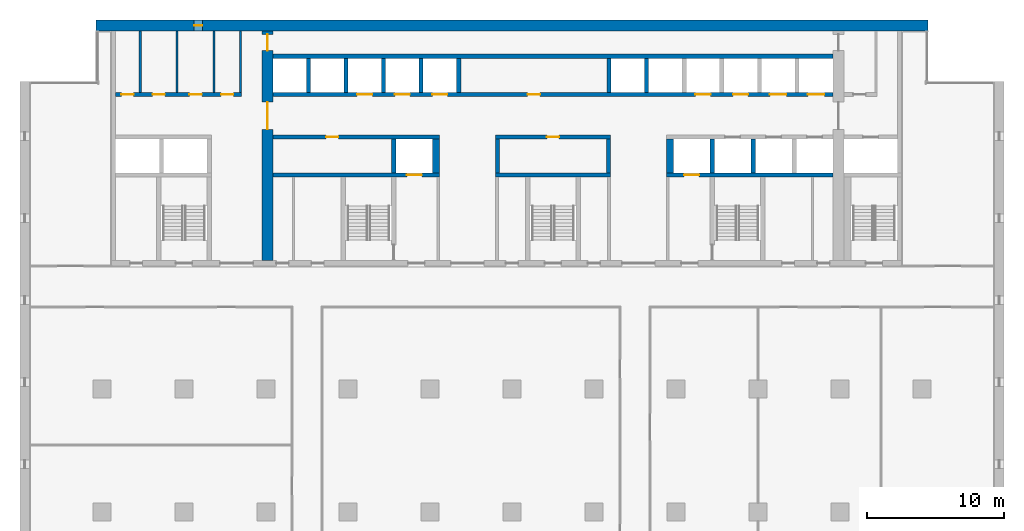
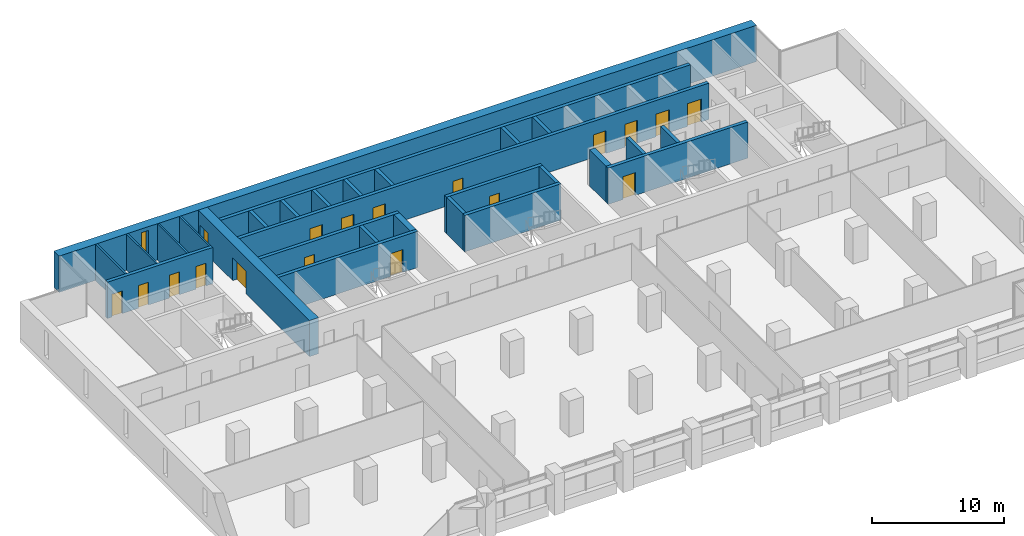
# One storey, part 10 of 15: 28 walls, 18 doors, 1 window, 19 openings.
"""IFC4 building model written with IfcOpenShell, lengths in metres."""

from ifc_helpers import new_model, si_unit, direction, frame, frame_2d, origin, place, context, subcontext, project, spatial, rectangle, extrude, material, layer, layer_set, type_object, element, fill, save


model = new_model("IFC4")

# Units and contexts
model_context = context("Model", 3, precision=1e-05, world=origin(), true_north=direction((0.0, 1.0)))
body_context = subcontext(model_context, "Body", "Model", "MODEL_VIEW")
ifc_project = project(units=[si_unit("LENGTHUNIT", "METRE"), si_unit("AREAUNIT", "SQUARE_METRE"), si_unit("VOLUMEUNIT", "CUBIC_METRE"), si_unit("PLANEANGLEUNIT", "RADIAN"), si_unit("MASSUNIT", "GRAM", prefix="KILO")], contexts=[model_context])

# Site, building, storey
site_placement = place(None, origin())
site = spatial("IfcSite", under=ifc_project, at=site_placement, CompositionType="ELEMENT")
building_placement = place(site_placement, origin())
building = spatial("IfcBuilding", under=site, at=building_placement, Name="Calvaro Tower", CompositionType="ELEMENT")
storey_placement = place(building_placement, frame((0.0, 0.0, 128.75)))
storey = spatial("IfcBuildingStorey", under=building, at=storey_placement, Name="L32", CompositionType="ELEMENT", Elevation=128.75)

# Walls
ifc_material_1 = material(Name="Blockwork partition", Category="masonry")
ifc_layer_1 = layer(ifc_material_1, 0.14990234375)
ifc_layer_set_1 = layer_set([ifc_layer_1], Name="Blockwork partition")
wall_type_1 = type_object("IfcWallType", Name="Core partition 150 EI 60", PredefinedType="PARTITIONING", material=ifc_layer_set_1)
for number, where, z_axis, x_axis, name in (
    (1, (8.800048828125, 40.699951171875, 0.0), (0.0, 0.0, 1.0), (0.0, 1.0, 0.0), "Core partition"),
    (2, (11.5, 40.699951171875, 0.0), (0.0, 0.0, 1.0), (0.0, 1.0, 0.0), "Core partition"),
    (3, (14.199951171875, 40.699951171875, 0.0), (0.0, 0.0, 1.0), (0.0, 1.0, 0.0), "Core partition"),
):
    element("IfcWall", number, at=place(storey_placement, frame(where, z_axis=z_axis, x_axis=x_axis)), inside=storey, type_object=wall_type_1, Name=name, PredefinedType="PARTITIONING", context=body_context, shape_type="SweptSolid", body=[
        extrude(rectangle(XDim=4.5, YDim=0.14990234375, at=frame_2d((2.25, 0.0))), origin(), (0.0, 0.0, 1.0), 3.35009765625),
    ])
ifc_material_2 = material(Name="Blockwork partition", Category="masonry")
ifc_layer_2 = layer(ifc_material_2, 0.14990234375)
ifc_layer_set_2 = layer_set([ifc_layer_2], Name="Blockwork partition")
wall_type_2 = type_object("IfcWallType", Name="Core partition 150 REI 120", PredefinedType="PARTITIONING", material=ifc_layer_set_2)
wall_1_placement = place(storey_placement, frame((16.125, 40.699951171875, 0.0), z_axis=(0.0, 0.0, 1.0), x_axis=(0.0, 1.0, 0.0)))
element("IfcWall", 4, at=wall_1_placement, inside=storey, type_object=wall_type_2, Name="Core partition", PredefinedType="PARTITIONING", context=body_context, shape_type="SweptSolid", body=[
    extrude(rectangle(XDim=4.5, YDim=0.14990234375, at=frame_2d((2.25, 0.0))), origin(), (0.0, 0.0, 1.0), 3.35009765625),
])

# Wall, openings, doors
ifc_material_3 = material(Name="Blockwork partition", Category="masonry")
ifc_layer_3 = layer(ifc_material_3, 0.300048828125)
ifc_layer_set_3 = layer_set([ifc_layer_3], Name="Blockwork partition")
wall_type_3 = type_object("IfcWallType", Name="Core partition 300 REI 120", PredefinedType="PARTITIONING", material=ifc_layer_set_3)
wall_2_placement = place(storey_placement, frame((7.0, 40.550048828125, 0.0), z_axis=(0.0, 0.0, 1.0), x_axis=(1.0, 0.0, 0.0)))
wall_2 = element("IfcWall", 5, at=wall_2_placement, inside=storey, type_object=wall_type_3, Name="Core partition", PredefinedType="PARTITIONING", context=body_context, shape_type="SweptSolid", body=[
    extrude(rectangle(XDim=9.199951171875, YDim=0.300048828125, at=frame_2d((4.60009765625, 0.0))), origin(), (0.0, 0.0, 1.0), 3.35009765625),
])
opening_1_placement = place(wall_2_placement, frame((0.41259765625, 0.0, 0.0)))
opening_1 = element("IfcOpeningElement", 6, at=opening_1_placement, cuts=wall_2, Name="Opening RD9C", PredefinedType="OPENING", context=body_context, shape_type="SweptSolid", body=[
    extrude(rectangle(XDim=0.89990234375, YDim=2.10009765625, at=frame_2d((0.449951171875, 1.050048828125))), frame((0.0, 0.159912109375, 0.0), z_axis=(0.0, -1.0, 0.0), x_axis=(1.0, 0.0, 0.0)), (0.0, 0.0, 1.0), 0.320068359375),
])
opening_2_placement = place(wall_2_placement, frame((2.699951171875, 0.0, 0.0)))
opening_2 = element("IfcOpeningElement", 7, at=opening_2_placement, cuts=wall_2, Name="Opening RD9", PredefinedType="OPENING", context=body_context, shape_type="SweptSolid", body=[
    extrude(rectangle(XDim=0.89990234375, YDim=2.10009765625, at=frame_2d((0.449951171875, 1.050048828125))), frame((0.0, 0.159912109375, 0.0), z_axis=(0.0, -1.0, 0.0), x_axis=(1.0, 0.0, 0.0)), (0.0, 0.0, 1.0), 0.320068359375),
])
opening_3_placement = place(wall_2_placement, frame((5.39990234375, 0.0, 0.0)))
opening_3 = element("IfcOpeningElement", 8, at=opening_3_placement, cuts=wall_2, Name="Opening RD9", PredefinedType="OPENING", context=body_context, shape_type="SweptSolid", body=[
    extrude(rectangle(XDim=0.89990234375, YDim=2.10009765625, at=frame_2d((0.449951171875, 1.050048828125))), frame((0.0, 0.159912109375, 0.0), z_axis=(0.0, -1.0, 0.0), x_axis=(1.0, 0.0, 0.0)), (0.0, 0.0, 1.0), 0.320068359375),
])
opening_4_placement = place(wall_2_placement, frame((7.71240234375, 0.0, 0.0)))
opening_4 = element("IfcOpeningElement", 9, at=opening_4_placement, cuts=wall_2, Name="Opening RD9", PredefinedType="OPENING", context=body_context, shape_type="SweptSolid", body=[
    extrude(rectangle(XDim=0.89990234375, YDim=2.10009765625, at=frame_2d((0.449951171875, 1.050048828125))), frame((0.0, 0.159912109375, 0.0), z_axis=(0.0, -1.0, 0.0), x_axis=(1.0, 0.0, 0.0)), (0.0, 0.0, 1.0), 0.320068359375),
])
ifc_material_4 = material(Name="Steel door set", Category="steel")
door_type_1 = type_object("IfcDoorType", Name="Room door 900", OperationType="SINGLE_SWING_LEFT", PredefinedType="DOOR", material=ifc_material_4)
door_1_placement = place(opening_2_placement, origin())
door_1 = element("IfcDoor", 10, at=door_1_placement, inside=storey, type_object=door_type_1, Name="Room door", OperationType="SINGLE_SWING_LEFT", OverallHeight=2.10009765625, OverallWidth=0.89990234375, PredefinedType="DOOR", context=body_context, shape_type="SweptSolid", body=[
    extrude(rectangle(XDim=0.89990234375, YDim=2.10009765625, at=frame_2d((0.449951171875, 1.050048828125))), frame((0.0, 0.02490234375, 0.0), z_axis=(0.0, -1.0, 0.0), x_axis=(1.0, 0.0, 0.0)), (0.0, 0.0, 1.0), 0.050048828125),
])
fill(opening_2, door_1)
door_2_placement = place(opening_3_placement, origin())
door_2 = element("IfcDoor", 11, at=door_2_placement, inside=storey, type_object=door_type_1, Name="Room door", OperationType="SINGLE_SWING_LEFT", OverallHeight=2.10009765625, OverallWidth=0.89990234375, PredefinedType="DOOR", context=body_context, shape_type="SweptSolid", body=[
    extrude(rectangle(XDim=0.89990234375, YDim=2.10009765625, at=frame_2d((0.449951171875, 1.050048828125))), frame((0.0, 0.02490234375, 0.0), z_axis=(0.0, -1.0, 0.0), x_axis=(1.0, 0.0, 0.0)), (0.0, 0.0, 1.0), 0.050048828125),
])
fill(opening_3, door_2)
door_3_placement = place(opening_4_placement, origin())
door_3 = element("IfcDoor", 12, at=door_3_placement, inside=storey, type_object=door_type_1, Name="Room door", OperationType="SINGLE_SWING_LEFT", OverallHeight=2.10009765625, OverallWidth=0.89990234375, PredefinedType="DOOR", context=body_context, shape_type="SweptSolid", body=[
    extrude(rectangle(XDim=0.89990234375, YDim=2.10009765625, at=frame_2d((0.449951171875, 1.050048828125))), frame((0.0, 0.02490234375, 0.0), z_axis=(0.0, -1.0, 0.0), x_axis=(1.0, 0.0, 0.0)), (0.0, 0.0, 1.0), 0.050048828125),
])
fill(opening_4, door_3)
ifc_material_5 = material(Name="Steel door set", Category="steel")
door_type_2 = type_object("IfcDoorType", Name="Room door 900 FD30", OperationType="SINGLE_SWING_LEFT", PredefinedType="DOOR", material=ifc_material_5)
door_4_placement = place(opening_1_placement, origin())
door_4 = element("IfcDoor", 13, at=door_4_placement, inside=storey, type_object=door_type_2, Name="Room door", OperationType="SINGLE_SWING_LEFT", OverallHeight=2.10009765625, OverallWidth=0.89990234375, PredefinedType="DOOR", context=body_context, shape_type="SweptSolid", body=[
    extrude(rectangle(XDim=0.89990234375, YDim=2.10009765625, at=frame_2d((0.449951171875, 1.050048828125))), frame((0.0, 0.02490234375, 0.0), z_axis=(0.0, -1.0, 0.0), x_axis=(1.0, 0.0, 0.0)), (0.0, 0.0, 1.0), 0.050048828125),
])
fill(opening_1, door_4)

# Wall, opening, door
ifc_material_6 = material(Name="Concrete C60/75", Category="concrete")
ifc_layer_4 = layer(ifc_material_6, 0.300048828125)
ifc_layer_set_4 = layer_set([ifc_layer_4], Name="Concrete C60/75")
wall_type_4 = type_object("IfcWallType", Name="Core wall C60/75 300", PredefinedType="SHEAR", material=ifc_layer_set_4)
wall_3_placement = place(storey_placement, frame((18.5, 34.64990234375, 0.0), z_axis=(0.0, 0.0, 1.0), x_axis=(1.0, 0.0, 0.0)))
wall_3 = element("IfcWall", 14, at=wall_3_placement, inside=storey, type_object=wall_type_4, Name="Core wall, lift shaft", PredefinedType="SHEAR", context=body_context, shape_type="SweptSolid", body=[
    extrude(rectangle(XDim=12.199951171875, YDim=0.300048828125, at=frame_2d((6.10009765625, 0.0))), origin(), (0.0, 0.0, 1.0), 3.35009765625),
])
opening_5_placement = place(wall_3_placement, frame((9.800048828125, 0.0, 0.0)))
opening_5 = element("IfcOpeningElement", 15, at=opening_5_placement, cuts=wall_3, Name="Opening FF1", PredefinedType="OPENING", context=body_context, shape_type="SweptSolid", body=[
    extrude(rectangle(XDim=1.10009765625, YDim=2.10009765625, at=frame_2d((0.550048828125, 1.050048828125))), frame((0.0, 0.159912109375, 0.0), z_axis=(0.0, -1.0, 0.0), x_axis=(1.0, 0.0, 0.0)), (0.0, 0.0, 1.0), 0.320068359375),
])
ifc_material_7 = material(Name="Stainless steel", Category="steel")
door_type_3 = type_object("IfcDoorType", Name="Landing door 1100 E 60", OperationType="SLIDING_TO_LEFT", PredefinedType="DOOR", material=ifc_material_7)
door_5_placement = place(opening_5_placement, origin())
door_5 = element("IfcDoor", 16, at=door_5_placement, inside=storey, type_object=door_type_3, Name="Landing door FF1", OperationType="SLIDING_TO_LEFT", OverallHeight=2.10009765625, OverallWidth=1.10009765625, PredefinedType="DOOR", context=body_context, shape_type="SweptSolid", body=[
    extrude(rectangle(XDim=1.10009765625, YDim=2.10009765625, at=frame_2d((0.550048828125, 1.050048828125))), frame((0.0, 0.02490234375, 0.0), z_axis=(0.0, -1.0, 0.0), x_axis=(1.0, 0.0, 0.0)), (0.0, 0.0, 1.0), 0.050048828125),
])
fill(opening_5, door_5)

# Wall
wall_4_placement = place(storey_placement, frame((34.800048828125, 34.64990234375, 0.0), z_axis=(0.0, 0.0, 1.0), x_axis=(1.0, 0.0, 0.0)))
element("IfcWall", 17, at=wall_4_placement, inside=storey, type_object=wall_type_4, Name="Core wall, lift shaft", PredefinedType="SHEAR", context=body_context, shape_type="SweptSolid", body=[
    extrude(rectangle(XDim=8.39990234375, YDim=0.300048828125, at=frame_2d((4.199951171875, 0.0))), origin(), (0.0, 0.0, 1.0), 3.35009765625),
])

# Wall, opening, door
wall_5_placement = place(storey_placement, frame((47.300048828125, 34.64990234375, 0.0), z_axis=(0.0, 0.0, 1.0), x_axis=(1.0, 0.0, 0.0)))
wall_5 = element("IfcWall", 18, at=wall_5_placement, inside=storey, type_object=wall_type_4, Name="Core wall, lift shaft", PredefinedType="SHEAR", context=body_context, shape_type="SweptSolid", body=[
    extrude(rectangle(XDim=12.199951171875, YDim=0.300048828125, at=frame_2d((6.10009765625, 0.0))), origin(), (0.0, 0.0, 1.0), 3.35009765625),
])
opening_6_placement = place(wall_5_placement, frame((1.300048828125, 0.0, 0.0)))
opening_6 = element("IfcOpeningElement", 19, at=opening_6_placement, cuts=wall_5, Name="Opening FF2", PredefinedType="OPENING", context=body_context, shape_type="SweptSolid", body=[
    extrude(rectangle(XDim=1.10009765625, YDim=2.10009765625, at=frame_2d((0.550048828125, 1.050048828125))), frame((0.0, 0.159912109375, 0.0), z_axis=(0.0, -1.0, 0.0), x_axis=(1.0, 0.0, 0.0)), (0.0, 0.0, 1.0), 0.320068359375),
])
door_6_placement = place(opening_6_placement, origin())
door_6 = element("IfcDoor", 20, at=door_6_placement, inside=storey, type_object=door_type_3, Name="Landing door FF2", OperationType="SLIDING_TO_LEFT", OverallHeight=2.10009765625, OverallWidth=1.10009765625, PredefinedType="DOOR", context=body_context, shape_type="SweptSolid", body=[
    extrude(rectangle(XDim=1.10009765625, YDim=2.10009765625, at=frame_2d((0.550048828125, 1.050048828125))), frame((0.0, 0.02490234375, 0.0), z_axis=(0.0, -1.0, 0.0), x_axis=(1.0, 0.0, 0.0)), (0.0, 0.0, 1.0), 0.050048828125),
])
fill(opening_6, door_6)

wall_6_placement = place(storey_placement, frame((30.699951171875, 37.449951171875, 0.0), z_axis=(0.0, 0.0, 1.0), x_axis=(-1.0, 0.0, 0.0)))
wall_6 = element("IfcWall", 21, at=wall_6_placement, inside=storey, type_object=wall_type_4, Name="Core wall, bay", PredefinedType="SHEAR", context=body_context, shape_type="SweptSolid", body=[
    extrude(rectangle(XDim=12.199951171875, YDim=0.300048828125, at=frame_2d((6.10009765625, 0.0))), origin(), (0.0, 0.0, 1.0), 3.35009765625),
])
opening_7_placement = place(wall_6_placement, frame((7.39990234375, 0.0, 0.0)))
opening_7 = element("IfcOpeningElement", 22, at=opening_7_placement, cuts=wall_6, Name="Opening RD9E", PredefinedType="OPENING", context=body_context, shape_type="SweptSolid", body=[
    extrude(rectangle(XDim=0.89990234375, YDim=2.10009765625, at=frame_2d((0.449951171875, 1.050048828125))), frame((0.0, 0.159912109375, 0.0), z_axis=(0.0, -1.0, 0.0), x_axis=(1.0, 0.0, 0.0)), (0.0, 0.0, 1.0), 0.320068359375),
])
ifc_material_8 = material(Name="Steel door set", Category="steel")
door_type_4 = type_object("IfcDoorType", Name="Room door 900 FD60", OperationType="SINGLE_SWING_LEFT", PredefinedType="DOOR", material=ifc_material_8)
door_7_placement = place(opening_7_placement, origin())
door_7 = element("IfcDoor", 23, at=door_7_placement, inside=storey, type_object=door_type_4, Name="Room door", OperationType="SINGLE_SWING_LEFT", OverallHeight=2.10009765625, OverallWidth=0.89990234375, PredefinedType="DOOR", context=body_context, shape_type="SweptSolid", body=[
    extrude(rectangle(XDim=0.89990234375, YDim=2.10009765625, at=frame_2d((0.449951171875, 1.050048828125))), frame((0.0, 0.02490234375, 0.0), z_axis=(0.0, -1.0, 0.0), x_axis=(1.0, 0.0, 0.0)), (0.0, 0.0, 1.0), 0.050048828125),
])
fill(opening_7, door_7)

wall_7_placement = place(storey_placement, frame((43.199951171875, 37.449951171875, 0.0), z_axis=(0.0, 0.0, 1.0), x_axis=(-1.0, 0.0, 0.0)))
wall_7 = element("IfcWall", 24, at=wall_7_placement, inside=storey, type_object=wall_type_4, Name="Core wall, bay", PredefinedType="SHEAR", context=body_context, shape_type="SweptSolid", body=[
    extrude(rectangle(XDim=8.39990234375, YDim=0.300048828125, at=frame_2d((4.199951171875, 0.0))), origin(), (0.0, 0.0, 1.0), 3.35009765625),
])
opening_8_placement = place(wall_7_placement, frame((3.75, 0.0, 0.0)))
opening_8 = element("IfcOpeningElement", 25, at=opening_8_placement, cuts=wall_7, Name="Opening RD9E", PredefinedType="OPENING", context=body_context, shape_type="SweptSolid", body=[
    extrude(rectangle(XDim=0.89990234375, YDim=2.10009765625, at=frame_2d((0.449951171875, 1.050048828125))), frame((0.0, 0.159912109375, 0.0), z_axis=(0.0, -1.0, 0.0), x_axis=(1.0, 0.0, 0.0)), (0.0, 0.0, 1.0), 0.320068359375),
])
door_8_placement = place(opening_8_placement, origin())
door_8 = element("IfcDoor", 26, at=door_8_placement, inside=storey, type_object=door_type_4, Name="Room door", OperationType="SINGLE_SWING_RIGHT", OverallHeight=2.10009765625, OverallWidth=0.89990234375, PredefinedType="DOOR", context=body_context, shape_type="SweptSolid", body=[
    extrude(rectangle(XDim=0.89990234375, YDim=2.10009765625, at=frame_2d((0.449951171875, 1.050048828125))), frame((0.0, 0.02490234375, 0.0), z_axis=(0.0, -1.0, 0.0), x_axis=(1.0, 0.0, 0.0)), (0.0, 0.0, 1.0), 0.050048828125),
])
fill(opening_8, door_8)

# Walls
for number, where, z_axis, x_axis, name in (
    (27, (27.35009765625, 34.800048828125, 0.0), (0.0, 0.0, 1.0), (0.0, 1.0, 0.0), "Core wall, lift shaft"),
    (28, (34.949951171875, 34.800048828125, 0.0), (0.0, 0.0, 1.0), (0.0, 1.0, 0.0), "Core wall, lift shaft"),
    (29, (43.050048828125, 34.800048828125, 0.0), (0.0, 0.0, 1.0), (0.0, 1.0, 0.0), "Core wall, lift shaft"),
    (30, (50.64990234375, 34.800048828125, 0.0), (0.0, 0.0, 1.0), (0.0, 1.0, 0.0), "Core wall, lift shaft"),
):
    element("IfcWall", number, at=place(storey_placement, frame(where, z_axis=z_axis, x_axis=x_axis)), inside=storey, type_object=wall_type_4, Name=name, PredefinedType="SHEAR", context=body_context, shape_type="SweptSolid", body=[
        extrude(rectangle(XDim=2.5, YDim=0.300048828125, at=frame_2d((1.25, 0.0))), origin(), (0.0, 0.0, 1.0), 3.35009765625),
    ])

# Wall, openings, doors
wall_8_placement = place(storey_placement, frame((18.5, 40.550048828125, 0.0), z_axis=(0.0, 0.0, 1.0), x_axis=(1.0, 0.0, 0.0)))
wall_8 = element("IfcWall", 31, at=wall_8_placement, inside=storey, type_object=wall_type_4, Name="Core wall, bay", PredefinedType="SHEAR", context=body_context, shape_type="SweptSolid", body=[
    extrude(rectangle(XDim=41.0, YDim=0.300048828125, at=frame_2d((20.5, 0.0))), origin(), (0.0, 0.0, 1.0), 3.35009765625),
])
opening_9_placement = place(wall_8_placement, frame((18.64990234375, 0.0, 0.0)))
opening_9 = element("IfcOpeningElement", 32, at=opening_9_placement, cuts=wall_8, Name="Opening RD9E", PredefinedType="OPENING", context=body_context, shape_type="SweptSolid", body=[
    extrude(rectangle(XDim=0.89990234375, YDim=2.10009765625, at=frame_2d((0.449951171875, 1.050048828125))), frame((0.0, 0.159912109375, 0.0), z_axis=(0.0, -1.0, 0.0), x_axis=(1.0, 0.0, 0.0)), (0.0, 0.0, 1.0), 0.320068359375),
])
opening_10_placement = place(wall_8_placement, frame((6.175048828125, 0.0, 0.0)))
opening_10 = element("IfcOpeningElement", 33, at=opening_10_placement, cuts=wall_8, Name="Opening MR4", PredefinedType="OPENING", context=body_context, shape_type="SweptSolid", body=[
    extrude(rectangle(XDim=1.10009765625, YDim=2.10009765625, at=frame_2d((0.550048828125, 1.050048828125))), frame((0.0, 0.159912109375, 0.0), z_axis=(0.0, -1.0, 0.0), x_axis=(1.0, 0.0, 0.0)), (0.0, 0.0, 1.0), 0.320068359375),
])
opening_11_placement = place(wall_8_placement, frame((8.925048828125, 0.0, 0.0)))
opening_11 = element("IfcOpeningElement", 34, at=opening_11_placement, cuts=wall_8, Name="Opening MR5", PredefinedType="OPENING", context=body_context, shape_type="SweptSolid", body=[
    extrude(rectangle(XDim=1.10009765625, YDim=2.10009765625, at=frame_2d((0.550048828125, 1.050048828125))), frame((0.0, 0.159912109375, 0.0), z_axis=(0.0, -1.0, 0.0), x_axis=(1.0, 0.0, 0.0)), (0.0, 0.0, 1.0), 0.320068359375),
])
opening_12_placement = place(wall_8_placement, frame((11.675048828125, 0.0, 0.0)))
opening_12 = element("IfcOpeningElement", 35, at=opening_12_placement, cuts=wall_8, Name="Opening MR6", PredefinedType="OPENING", context=body_context, shape_type="SweptSolid", body=[
    extrude(rectangle(XDim=1.10009765625, YDim=2.10009765625, at=frame_2d((0.550048828125, 1.050048828125))), frame((0.0, 0.159912109375, 0.0), z_axis=(0.0, -1.0, 0.0), x_axis=(1.0, 0.0, 0.0)), (0.0, 0.0, 1.0), 0.320068359375),
])
opening_13_placement = place(wall_8_placement, frame((30.925048828125, 0.0, 0.0)))
opening_13 = element("IfcOpeningElement", 36, at=opening_13_placement, cuts=wall_8, Name="Opening MR7", PredefinedType="OPENING", context=body_context, shape_type="SweptSolid", body=[
    extrude(rectangle(XDim=1.10009765625, YDim=2.10009765625, at=frame_2d((0.550048828125, 1.050048828125))), frame((0.0, 0.159912109375, 0.0), z_axis=(0.0, -1.0, 0.0), x_axis=(1.0, 0.0, 0.0)), (0.0, 0.0, 1.0), 0.320068359375),
])
opening_14_placement = place(wall_8_placement, frame((33.675048828125, 0.0, 0.0)))
opening_14 = element("IfcOpeningElement", 37, at=opening_14_placement, cuts=wall_8, Name="Opening MR8", PredefinedType="OPENING", context=body_context, shape_type="SweptSolid", body=[
    extrude(rectangle(XDim=1.10009765625, YDim=2.10009765625, at=frame_2d((0.550048828125, 1.050048828125))), frame((0.0, 0.159912109375, 0.0), z_axis=(0.0, -1.0, 0.0), x_axis=(1.0, 0.0, 0.0)), (0.0, 0.0, 1.0), 0.320068359375),
])
opening_15_placement = place(wall_8_placement, frame((36.375, 0.0, 0.0)))
opening_15 = element("IfcOpeningElement", 38, at=opening_15_placement, cuts=wall_8, Name="Opening SV1", PredefinedType="OPENING", context=body_context, shape_type="SweptSolid", body=[
    extrude(rectangle(XDim=1.199951171875, YDim=2.10009765625, at=frame_2d((0.60009765625, 1.050048828125))), frame((0.0, 0.159912109375, 0.0), z_axis=(0.0, -1.0, 0.0), x_axis=(1.0, 0.0, 0.0)), (0.0, 0.0, 1.0), 0.320068359375),
])
opening_16_placement = place(wall_8_placement, frame((39.14990234375, 0.0, 0.0)))
opening_16 = element("IfcOpeningElement", 39, at=opening_16_placement, cuts=wall_8, Name="Opening SV2", PredefinedType="OPENING", context=body_context, shape_type="SweptSolid", body=[
    extrude(rectangle(XDim=1.199951171875, YDim=2.10009765625, at=frame_2d((0.60009765625, 1.050048828125))), frame((0.0, 0.159912109375, 0.0), z_axis=(0.0, -1.0, 0.0), x_axis=(1.0, 0.0, 0.0)), (0.0, 0.0, 1.0), 0.320068359375),
])
door_9_placement = place(opening_10_placement, origin())
door_9 = element("IfcDoor", 40, at=door_9_placement, inside=storey, type_object=door_type_3, Name="Landing door MR4", OperationType="SLIDING_TO_LEFT", OverallHeight=2.10009765625, OverallWidth=1.10009765625, PredefinedType="DOOR", context=body_context, shape_type="SweptSolid", body=[
    extrude(rectangle(XDim=1.10009765625, YDim=2.10009765625, at=frame_2d((0.550048828125, 1.050048828125))), frame((0.0, 0.02490234375, 0.0), z_axis=(0.0, -1.0, 0.0), x_axis=(1.0, 0.0, 0.0)), (0.0, 0.0, 1.0), 0.050048828125),
])
fill(opening_10, door_9)
door_10_placement = place(opening_11_placement, origin())
door_10 = element("IfcDoor", 41, at=door_10_placement, inside=storey, type_object=door_type_3, Name="Landing door MR5", OperationType="SLIDING_TO_LEFT", OverallHeight=2.10009765625, OverallWidth=1.10009765625, PredefinedType="DOOR", context=body_context, shape_type="SweptSolid", body=[
    extrude(rectangle(XDim=1.10009765625, YDim=2.10009765625, at=frame_2d((0.550048828125, 1.050048828125))), frame((0.0, 0.02490234375, 0.0), z_axis=(0.0, -1.0, 0.0), x_axis=(1.0, 0.0, 0.0)), (0.0, 0.0, 1.0), 0.050048828125),
])
fill(opening_11, door_10)
door_11_placement = place(opening_12_placement, origin())
door_11 = element("IfcDoor", 42, at=door_11_placement, inside=storey, type_object=door_type_3, Name="Landing door MR6", OperationType="SLIDING_TO_LEFT", OverallHeight=2.10009765625, OverallWidth=1.10009765625, PredefinedType="DOOR", context=body_context, shape_type="SweptSolid", body=[
    extrude(rectangle(XDim=1.10009765625, YDim=2.10009765625, at=frame_2d((0.550048828125, 1.050048828125))), frame((0.0, 0.02490234375, 0.0), z_axis=(0.0, -1.0, 0.0), x_axis=(1.0, 0.0, 0.0)), (0.0, 0.0, 1.0), 0.050048828125),
])
fill(opening_12, door_11)
door_12_placement = place(opening_13_placement, origin())
door_12 = element("IfcDoor", 43, at=door_12_placement, inside=storey, type_object=door_type_3, Name="Landing door MR7", OperationType="SLIDING_TO_LEFT", OverallHeight=2.10009765625, OverallWidth=1.10009765625, PredefinedType="DOOR", context=body_context, shape_type="SweptSolid", body=[
    extrude(rectangle(XDim=1.10009765625, YDim=2.10009765625, at=frame_2d((0.550048828125, 1.050048828125))), frame((0.0, 0.02490234375, 0.0), z_axis=(0.0, -1.0, 0.0), x_axis=(1.0, 0.0, 0.0)), (0.0, 0.0, 1.0), 0.050048828125),
])
fill(opening_13, door_12)
door_13_placement = place(opening_14_placement, origin())
door_13 = element("IfcDoor", 44, at=door_13_placement, inside=storey, type_object=door_type_3, Name="Landing door MR8", OperationType="SLIDING_TO_LEFT", OverallHeight=2.10009765625, OverallWidth=1.10009765625, PredefinedType="DOOR", context=body_context, shape_type="SweptSolid", body=[
    extrude(rectangle(XDim=1.10009765625, YDim=2.10009765625, at=frame_2d((0.550048828125, 1.050048828125))), frame((0.0, 0.02490234375, 0.0), z_axis=(0.0, -1.0, 0.0), x_axis=(1.0, 0.0, 0.0)), (0.0, 0.0, 1.0), 0.050048828125),
])
fill(opening_14, door_13)
ifc_material_9 = material(Name="Stainless steel", Category="steel")
door_type_5 = type_object("IfcDoorType", Name="Landing door 1200 E 60", OperationType="SLIDING_TO_LEFT", PredefinedType="DOOR", material=ifc_material_9)
door_14_placement = place(opening_15_placement, origin())
door_14 = element("IfcDoor", 45, at=door_14_placement, inside=storey, type_object=door_type_5, Name="Landing door SV1", OperationType="SLIDING_TO_LEFT", OverallHeight=2.10009765625, OverallWidth=1.199951171875, PredefinedType="DOOR", context=body_context, shape_type="SweptSolid", body=[
    extrude(rectangle(XDim=1.199951171875, YDim=2.10009765625, at=frame_2d((0.60009765625, 1.050048828125))), frame((0.0, 0.02490234375, 0.0), z_axis=(0.0, -1.0, 0.0), x_axis=(1.0, 0.0, 0.0)), (0.0, 0.0, 1.0), 0.050048828125),
])
fill(opening_15, door_14)
door_15_placement = place(opening_16_placement, origin())
door_15 = element("IfcDoor", 46, at=door_15_placement, inside=storey, type_object=door_type_5, Name="Landing door SV2", OperationType="SLIDING_TO_LEFT", OverallHeight=2.10009765625, OverallWidth=1.199951171875, PredefinedType="DOOR", context=body_context, shape_type="SweptSolid", body=[
    extrude(rectangle(XDim=1.199951171875, YDim=2.10009765625, at=frame_2d((0.60009765625, 1.050048828125))), frame((0.0, 0.02490234375, 0.0), z_axis=(0.0, -1.0, 0.0), x_axis=(1.0, 0.0, 0.0)), (0.0, 0.0, 1.0), 0.050048828125),
])
fill(opening_16, door_15)
door_16_placement = place(opening_9_placement, origin())
door_16 = element("IfcDoor", 47, at=door_16_placement, inside=storey, type_object=door_type_4, Name="Room door", OperationType="SINGLE_SWING_LEFT", OverallHeight=2.10009765625, OverallWidth=0.89990234375, PredefinedType="DOOR", context=body_context, shape_type="SweptSolid", body=[
    extrude(rectangle(XDim=0.89990234375, YDim=2.10009765625, at=frame_2d((0.449951171875, 1.050048828125))), frame((0.0, 0.02490234375, 0.0), z_axis=(0.0, -1.0, 0.0), x_axis=(1.0, 0.0, 0.0)), (0.0, 0.0, 1.0), 0.050048828125),
])
fill(opening_9, door_16)

# Walls
wall_9_placement = place(storey_placement, frame((18.5, 43.35009765625, 0.0), z_axis=(0.0, 0.0, 1.0), x_axis=(1.0, 0.0, 0.0)))
element("IfcWall", 48, at=wall_9_placement, inside=storey, type_object=wall_type_4, Name="Core wall, lift shaft", PredefinedType="SHEAR", context=body_context, shape_type="SweptSolid", body=[
    extrude(rectangle(XDim=41.0, YDim=0.300048828125, at=frame_2d((20.5, 0.0))), origin(), (0.0, 0.0, 1.0), 3.35009765625),
])
for number, where, z_axis, x_axis, name in (
    (49, (53.64990234375, 34.800048828125, 0.0), (0.0, 0.0, 1.0), (0.0, 1.0, 0.0), "Core wall, lift shaft"),
    (50, (21.10009765625, 40.699951171875, 0.0), (0.0, 0.0, 1.0), (0.0, 1.0, 0.0), "Core wall, lift shaft"),
    (51, (23.85009765625, 40.699951171875, 0.0), (0.0, 0.0, 1.0), (0.0, 1.0, 0.0), "Core wall, lift shaft"),
    (52, (26.60009765625, 40.699951171875, 0.0), (0.0, 0.0, 1.0), (0.0, 1.0, 0.0), "Core wall, lift shaft"),
    (53, (29.35009765625, 40.699951171875, 0.0), (0.0, 0.0, 1.0), (0.0, 1.0, 0.0), "Core wall, lift shaft"),
    (54, (32.10009765625, 40.699951171875, 0.0), (0.0, 0.0, 1.0), (0.0, 1.0, 0.0), "Core wall, lift shaft"),
    (55, (43.10009765625, 40.699951171875, 0.0), (0.0, 0.0, 1.0), (0.0, 1.0, 0.0), "Core wall, lift shaft"),
    (56, (45.85009765625, 40.699951171875, 0.0), (0.0, 0.0, 1.0), (0.0, 1.0, 0.0), "Core wall, lift shaft"),
):
    element("IfcWall", number, at=place(storey_placement, frame(where, z_axis=z_axis, x_axis=x_axis)), inside=storey, type_object=wall_type_4, Name=name, PredefinedType="SHEAR", context=body_context, shape_type="SweptSolid", body=[
        extrude(rectangle(XDim=2.5, YDim=0.300048828125, at=frame_2d((1.25, 0.0))), origin(), (0.0, 0.0, 1.0), 3.35009765625),
    ])
ifc_material_10 = material(Name="Concrete C60/75", Category="concrete")
ifc_layer_5 = layer(ifc_material_10, 0.5)
ifc_layer_set_5 = layer_set([ifc_layer_5], Name="Concrete C60/75")
wall_type_5 = type_object("IfcWallType", Name="Core wall C60/75 500", PredefinedType="SHEAR", material=ifc_layer_set_5)
for number, where, z_axis, x_axis, name in (
    (57, (30.449951171875, 34.800048828125, 0.0), (0.0, 0.0, 1.0), (0.0, 1.0, 0.0), "Core wall, lift shaft"),
    (58, (47.550048828125, 34.800048828125, 0.0), (0.0, 0.0, 1.0), (0.0, 1.0, 0.0), "Core wall, lift shaft"),
):
    element("IfcWall", number, at=place(storey_placement, frame(where, z_axis=z_axis, x_axis=x_axis)), inside=storey, type_object=wall_type_5, Name=name, PredefinedType="SHEAR", context=body_context, shape_type="SweptSolid", body=[
        extrude(rectangle(XDim=2.5, YDim=0.5, at=frame_2d((1.25, 0.0))), origin(), (0.0, 0.0, 1.0), 3.35009765625),
    ])

# Wall, openings, doors
ifc_material_11 = material(Name="Concrete C60/75", Category="concrete")
ifc_layer_6 = layer(ifc_material_11, 0.800048828125)
ifc_layer_set_6 = layer_set([ifc_layer_6], Name="Concrete C60/75")
wall_type_6 = type_object("IfcWallType", Name="Core wall C60/75 800", PredefinedType="SHEAR", material=ifc_layer_set_6)
wall_10_placement = place(storey_placement, frame((18.10009765625, 28.39990234375, 0.0), z_axis=(0.0, 0.0, 1.0), x_axis=(0.0, 1.0, 0.0)))
wall_10 = element("IfcWall", 59, at=wall_10_placement, inside=storey, type_object=wall_type_6, Name="Core wall, cross shear wall", PredefinedType="SHEAR", context=body_context, shape_type="SweptSolid", body=[
    extrude(rectangle(XDim=16.800048828125, YDim=0.800048828125, at=frame_2d((8.39990234375, 0.0))), origin(), (0.0, 0.0, 1.0), 3.35009765625),
])
opening_17_placement = place(wall_10_placement, frame((9.60009765625, 0.0, 0.0)))
opening_17 = element("IfcOpeningElement", 60, at=opening_17_placement, cuts=wall_10, Name="Opening DD20D", PredefinedType="OPENING", context=body_context, shape_type="SweptSolid", body=[
    extrude(rectangle(XDim=2.0, YDim=2.10009765625, at=frame_2d((1.0, 1.050048828125))), frame((0.0, 0.409912109375, 0.0), z_axis=(0.0, -1.0, 0.0), x_axis=(1.0, 0.0, 0.0)), (0.0, 0.0, 1.0), 0.820068359375),
])
opening_18_placement = place(wall_10_placement, frame((15.35009765625, 0.0, 0.0)))
opening_18 = element("IfcOpeningElement", 61, at=opening_18_placement, cuts=wall_10, Name="Opening FD12C", PredefinedType="OPENING", context=body_context, shape_type="SweptSolid", body=[
    extrude(rectangle(XDim=1.199951171875, YDim=2.10009765625, at=frame_2d((0.60009765625, 1.050048828125))), frame((0.0, 0.409912109375, 0.0), z_axis=(0.0, -1.0, 0.0), x_axis=(1.0, 0.0, 0.0)), (0.0, 0.0, 1.0), 0.820068359375),
])
ifc_material_12 = material(Name="Steel door set", Category="steel")
door_type_6 = type_object("IfcDoorType", Name="Fire door 1200 FD30", OperationType="SINGLE_SWING_LEFT", PredefinedType="DOOR", material=ifc_material_12)
door_17_placement = place(opening_18_placement, origin())
door_17 = element("IfcDoor", 62, at=door_17_placement, inside=storey, type_object=door_type_6, Name="Fire door", OperationType="SINGLE_SWING_LEFT", OverallHeight=2.10009765625, OverallWidth=1.199951171875, PredefinedType="DOOR", context=body_context, shape_type="SweptSolid", body=[
    extrude(rectangle(XDim=1.199951171875, YDim=2.10009765625, at=frame_2d((0.60009765625, 1.050048828125))), frame((0.0, 0.02490234375, 0.0), z_axis=(0.0, -1.0, 0.0), x_axis=(1.0, 0.0, 0.0)), (0.0, 0.0, 1.0), 0.050048828125),
])
fill(opening_18, door_17)
ifc_material_13 = material(Name="Steel door set", Category="steel")
door_type_7 = type_object("IfcDoorType", Name="Lobby double door 2000 FD30S", OperationType="DOUBLE_DOOR_SINGLE_SWING", PredefinedType="DOOR", material=ifc_material_13)
door_18_placement = place(opening_17_placement, origin())
door_18 = element("IfcDoor", 63, at=door_18_placement, inside=storey, type_object=door_type_7, Name="Lobby double door", OperationType="DOUBLE_DOOR_SINGLE_SWING", OverallHeight=2.10009765625, OverallWidth=2.0, PredefinedType="DOOR", context=body_context, shape_type="SweptSolid", body=[
    extrude(rectangle(XDim=2.0, YDim=2.10009765625, at=frame_2d((1.0, 1.050048828125))), frame((0.0, 0.02490234375, 0.0), z_axis=(0.0, -1.0, 0.0), x_axis=(1.0, 0.0, 0.0)), (0.0, 0.0, 1.0), 0.050048828125),
])
fill(opening_17, door_18)

# Wall, opening, window
ifc_material_14 = material(Name="Concrete C60/75", Category="concrete")
ifc_layer_7 = layer(ifc_material_14, 0.800048828125)
ifc_layer_set_7 = layer_set([ifc_layer_7], Name="Concrete C60/75")
wall_type_7 = type_object("IfcWallType", Name="Rear core wall 800 C60/75", PredefinedType="SHEAR", material=ifc_layer_set_7)
wall_11_placement = place(storey_placement, frame((5.550048828125, 45.60009765625, 0.0), z_axis=(0.0, 0.0, 1.0), x_axis=(1.0, 0.0, 0.0)))
wall_11 = element("IfcWall", 64, at=wall_11_placement, inside=storey, type_object=wall_type_7, Name="North core wall", PredefinedType="SHEAR", context=body_context, shape_type="SweptSolid", body=[
    extrude(rectangle(XDim=60.89990234375, YDim=0.800048828125, at=frame_2d((30.449951171875, 0.0))), origin(), (0.0, 0.0, 1.0), 3.35009765625),
])
opening_19_placement = place(wall_11_placement, frame((7.199951171875, 0.0, 0.60009765625)))
opening_19 = element("IfcOpeningElement", 65, at=opening_19_placement, cuts=wall_11, Name="Opening WN02", PredefinedType="OPENING", context=body_context, shape_type="SweptSolid", body=[
    extrude(rectangle(XDim=0.60009765625, YDim=2.39990234375, at=frame_2d((0.300048828125, 1.199951171875))), frame((0.0, 0.409912109375, 0.0), z_axis=(0.0, -1.0, 0.0), x_axis=(1.0, 0.0, 0.0)), (0.0, 0.0, 1.0), 0.820068359375),
])
ifc_material_15 = material(Name="Glass", Category="glass")
window_type = type_object("IfcWindowType", Name="Slit window 600 x 2400", PartitioningType="SINGLE_PANEL", PredefinedType="WINDOW", material=ifc_material_15)
window_placement = place(opening_19_placement, origin())
window = element("IfcWindow", 66, at=window_placement, inside=storey, type_object=window_type, Name="Window WN02", OverallHeight=2.39990234375, OverallWidth=0.60009765625, PartitioningType="SINGLE_PANEL", PredefinedType="WINDOW", context=body_context, shape_type="SweptSolid", body=[
    extrude(rectangle(XDim=0.60009765625, YDim=2.39990234375, at=frame_2d((0.300048828125, 1.199951171875))), frame((0.0, 0.030029296875, 0.0), z_axis=(0.0, -1.0, 0.0), x_axis=(1.0, 0.0, 0.0)), (0.0, 0.0, 1.0), 0.06005859375),
])
fill(opening_19, window)

save(model, "model.ifc")
